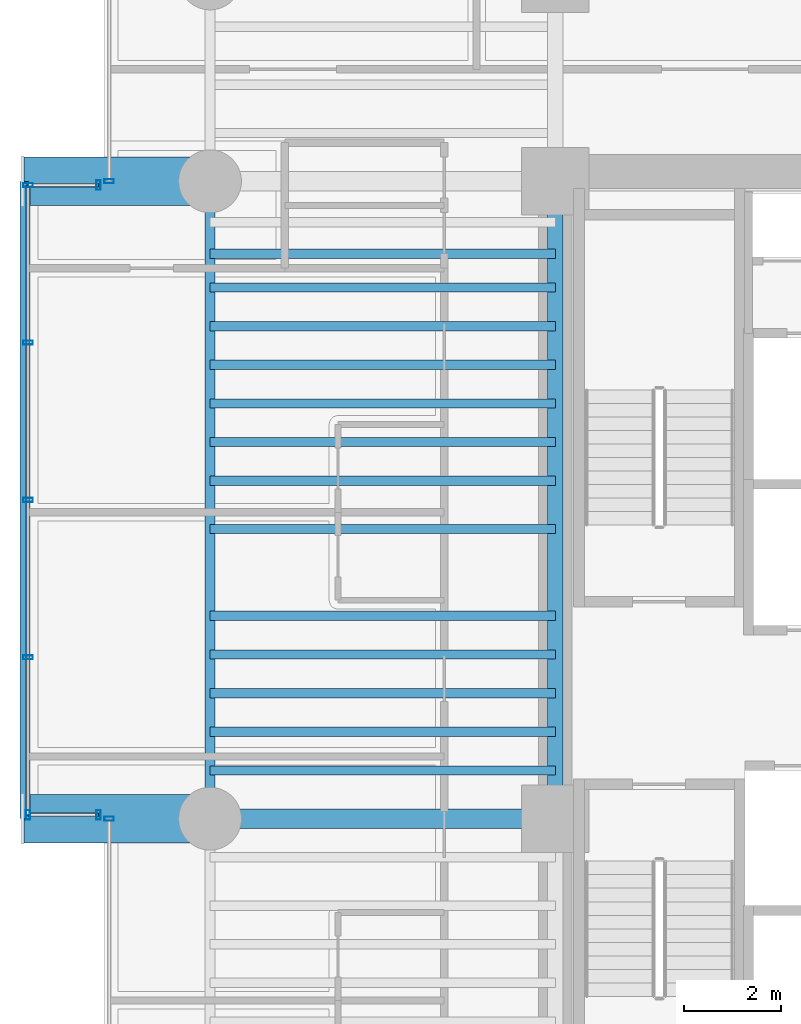
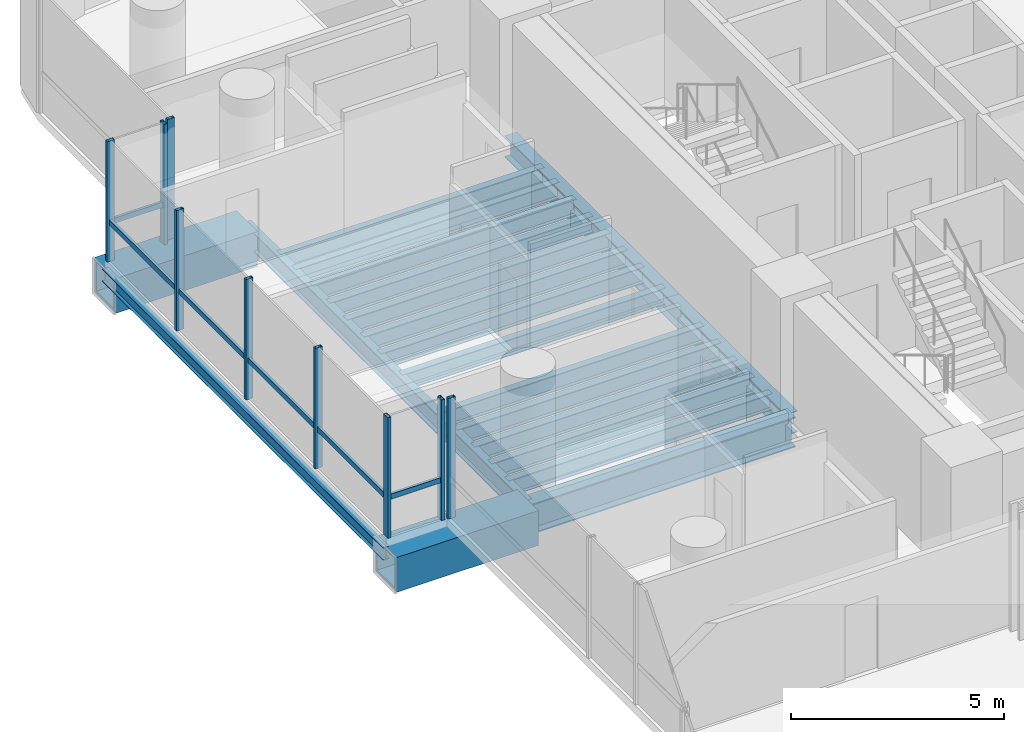
# One storey, part 8 of 39: 19 beams, 12 members, 5 elements without a shape of their own.
"""IFC4 building model written with IfcOpenShell, lengths in metres."""

from ifc_helpers import new_model, si_unit, direction, frame, origin, origin_2d, place, context, subcontext, project, spatial, hollow_rectangle, i_section, extrude, source, transform, mapped, material, material_profile, profile_set, type_object, element, aggregate, save


model = new_model("IFC4")

# Units and contexts
model_context = context("Model", 3, precision=1e-05, world=origin(), true_north=direction((0.0, 1.0)))
body_context = subcontext(model_context, "Body", "Model", "MODEL_VIEW")
ifc_project = project(units=[si_unit("LENGTHUNIT", "METRE"), si_unit("AREAUNIT", "SQUARE_METRE"), si_unit("VOLUMEUNIT", "CUBIC_METRE"), si_unit("PLANEANGLEUNIT", "RADIAN"), si_unit("MASSUNIT", "GRAM", prefix="KILO")], contexts=[model_context])

# Site, building, storey
site_placement = place(None, origin())
site = spatial("IfcSite", under=ifc_project, at=site_placement, CompositionType="ELEMENT")
building_placement = place(site_placement, origin())
building = spatial("IfcBuilding", under=site, at=building_placement, Name="Valdorenza Pilgrim Sanctuary Tower", CompositionType="ELEMENT")
storey_placement = place(building_placement, frame((0.0, 0.0, 77.800048828125)))
storey = spatial("IfcBuildingStorey", under=building, at=storey_placement, Name="L19", CompositionType="ELEMENT", Elevation=77.800048828125)

# Beams
ifc_material_1 = material(Name="Steel ASTM A992 Grade 50", Category="steel")
ifc_material_profile_1 = material_profile(ifc_material_1, i_section(OverallWidth=0.214111328125, OverallDepth=0.549072265625, WebThickness=0.0146484375, FlangeThickness=0.023681640625, at=origin_2d()), Name="W21X93")
ifc_profile_set_1 = profile_set([ifc_material_profile_1], Name="Steel ASTM A992 Grade 50")
beam_type_1 = type_object("IfcBeamType", Name="STR-BM-SPN-W21A", PredefinedType="SPANDREL", material=ifc_profile_set_1)
shared_shape_1 = source(origin(), body_context, "Body", "SweptSolid", [
    extrude(i_section(OverallWidth=0.214111328125, OverallDepth=0.549072265625, WebThickness=0.0146484375, FlangeThickness=0.023681640625, at=origin_2d()), origin(), (0.0, 0.0, 1.0), 13.2001953125),
])
beam_1_placement = place(storey_placement, frame((-29.800048828125, -2.60009765625, -0.5146484375), z_axis=(0.0, 1.0, 0.0), x_axis=(-1.0, 0.0, 0.0)))
element("IfcBeam", 1, at=beam_1_placement, inside=storey, type_object=beam_type_1, Name="L19 Spandrel Beam WA-W-M0N1", PredefinedType="SPANDREL", context=body_context, shape_type="MappedRepresentation", body=[
    mapped(shared_shape_1, transform((0.0, 0.0, 0.0), x_axis=(1.0, 0.0, 0.0), y_axis=(0.0, 1.0, 0.0), z_axis=(0.0, 0.0, 1.0), scale=1.0)),
])
ifc_material_profile_2 = material_profile(ifc_material_1, i_section(OverallWidth=0.323974609375, OverallDepth=0.611083984375, WebThickness=0.0126953125, FlangeThickness=0.01904296875, at=origin_2d()), Name="W24X104")
ifc_profile_set_2 = profile_set([ifc_material_profile_2], Name="Steel ASTM A992 Grade 50")
beam_type_2 = type_object("IfcBeamType", Name="STR-BM-GRD-W24B", PredefinedType="BEAM", material=ifc_profile_set_2)
shared_shape_2 = source(origin(), body_context, "Body", "SweptSolid", [
    extrude(i_section(OverallWidth=0.323974609375, OverallDepth=0.611083984375, WebThickness=0.0126953125, FlangeThickness=0.01904296875, at=origin_2d()), origin(), (0.0, 0.0, 1.0), 13.2001953125),
])
beam_2_placement = place(storey_placement, frame((-22.64990234375, -2.60009765625, -0.545654296875), z_axis=(0.0, 1.0, 0.0), x_axis=(-1.0, 0.0, 0.0)))
element("IfcBeam", 2, at=beam_2_placement, inside=storey, type_object=beam_type_2, Name="L19 Core Tie Girder CA-W-M0N1", PredefinedType="BEAM", context=body_context, shape_type="MappedRepresentation", body=[
    mapped(shared_shape_2, transform((0.0, 0.0, 0.0), x_axis=(1.0, 0.0, 0.0), y_axis=(0.0, 1.0, 0.0), z_axis=(0.0, 0.0, 1.0), scale=1.0)),
])
ifc_material_profile_3 = material_profile(ifc_material_1, i_section(OverallWidth=0.193115234375, OverallDepth=0.466064453125, WebThickness=0.011474609375, FlangeThickness=0.01904296875, at=origin_2d()), Name="W18X65")
ifc_profile_set_3 = profile_set([ifc_material_profile_3], Name="Steel ASTM A992 Grade 50")
beam_type_3 = type_object("IfcBeamType", Name="STR-BM-JST-W18A", PredefinedType="JOIST", material=ifc_profile_set_3)
shared_shape_3 = source(origin(), body_context, "Body", "SweptSolid", [
    extrude(i_section(OverallWidth=0.193115234375, OverallDepth=0.466064453125, WebThickness=0.011474609375, FlangeThickness=0.01904296875, at=origin_2d()), origin(), (0.0, 0.0, 1.0), 7.150146484375),
])
for number, where, z_axis, x_axis, name in (
    (3, (-29.800048828125, -1.60009765625, -0.47314453125), (1.0, 0.0, 0.0), (0.0, 1.0, 0.0), "L19 Composite Floor Joist JST-WA-10"),
    (4, (-29.800048828125, -0.800048828125, -0.47314453125), (1.0, 0.0, 0.0), (0.0, 1.0, 0.0), "L19 Composite Floor Joist JST-WA-11"),
    (5, (-29.800048828125, 0.0, -0.47314453125), (1.0, 0.0, 0.0), (0.0, 1.0, 0.0), "L19 Composite Floor Joist JST-WA-12"),
    (6, (-29.800048828125, 0.800048828125, -0.47314453125), (1.0, 0.0, 0.0), (0.0, 1.0, 0.0), "L19 Composite Floor Joist JST-WA-13"),
    (7, (-29.800048828125, 1.60009765625, -0.47314453125), (1.0, 0.0, 0.0), (0.0, 1.0, 0.0), "L19 Composite Floor Joist JST-WA-14"),
    (8, (-29.800048828125, 3.39990234375, -0.47314453125), (1.0, 0.0, 0.0), (0.0, 1.0, 0.0), "L19 Composite Floor Joist JST-WA-15"),
    (9, (-29.800048828125, 4.39990234375, -0.47314453125), (1.0, 0.0, 0.0), (0.0, 1.0, 0.0), "L19 Composite Floor Joist JST-WA-16"),
    (10, (-29.800048828125, 5.199951171875, -0.47314453125), (1.0, 0.0, 0.0), (0.0, 1.0, 0.0), "L19 Composite Floor Joist JST-WA-17"),
    (11, (-29.800048828125, 6.0, -0.47314453125), (1.0, 0.0, 0.0), (0.0, 1.0, 0.0), "L19 Composite Floor Joist JST-WA-18"),
    (12, (-29.800048828125, 6.800048828125, -0.47314453125), (1.0, 0.0, 0.0), (0.0, 1.0, 0.0), "L19 Composite Floor Joist JST-WA-19"),
    (13, (-29.800048828125, 7.60009765625, -0.47314453125), (1.0, 0.0, 0.0), (0.0, 1.0, 0.0), "L19 Composite Floor Joist JST-WA-20"),
    (14, (-29.800048828125, 8.39990234375, -0.47314453125), (1.0, 0.0, 0.0), (0.0, 1.0, 0.0), "L19 Composite Floor Joist JST-WA-21"),
    (15, (-29.800048828125, 9.10009765625, -0.47314453125), (1.0, 0.0, 0.0), (0.0, 1.0, 0.0), "L19 Composite Floor Joist JST-WA-22"),
):
    element("IfcBeam", number, at=place(storey_placement, frame(where, z_axis=z_axis, x_axis=x_axis)), inside=storey, type_object=beam_type_3, Name=name, PredefinedType="JOIST", context=body_context, shape_type="MappedRepresentation", body=[
        mapped(shared_shape_3, transform((0.0, 0.0, 0.0), x_axis=(1.0, 0.0, 0.0), y_axis=(0.0, 1.0, 0.0), z_axis=(0.0, 0.0, 1.0), scale=1.0)),
    ])
ifc_material_2 = material(Name="Steel ASTM A572 Grade 42", Category="steel")
ifc_material_profile_4 = material_profile(ifc_material_2, hollow_rectangle(XDim=1.0, YDim=1.0, WallThickness=0.080078125, at=origin_2d()), Name="BOX 1000x1000x80")
ifc_profile_set_4 = profile_set([ifc_material_profile_4], Name="Steel ASTM A572 Grade 42")
beam_type_4 = type_object("IfcBeamType", Name="STR-BM-PROW-CANT", PredefinedType="BEAM", material=ifc_profile_set_4)
shared_shape_4 = source(origin(), body_context, "Body", "SweptSolid", [
    extrude(hollow_rectangle(XDim=1.0, YDim=1.0, WallThickness=0.080078125, at=origin_2d()), origin(), (0.0, 0.0, 1.0), 3.849853515625),
])
for number, where, z_axis, x_axis, name in (
    (16, (-29.800048828125, 10.60009765625, -0.739990234375), (-1.0, 0.0, 0.0), (0.0, -1.0, 0.0), "L19 Glass Box Cantilever Beam BOX-WA-L19-CT-N"),
    (17, (-29.800048828125, -2.60009765625, -0.739990234375), (-1.0, 0.0, 0.0), (0.0, -1.0, 0.0), "L19 Glass Box Cantilever Beam BOX-WA-L19-CT-S"),
):
    element("IfcBeam", number, at=place(storey_placement, frame(where, z_axis=z_axis, x_axis=x_axis)), inside=storey, type_object=beam_type_4, Name=name, PredefinedType="BEAM", context=body_context, shape_type="MappedRepresentation", body=[
        mapped(shared_shape_4, transform((0.0, 0.0, 0.0), x_axis=(1.0, 0.0, 0.0), y_axis=(0.0, 1.0, 0.0), z_axis=(0.0, 0.0, 1.0), scale=1.0)),
    ])
ifc_material_profile_5 = material_profile(ifc_material_1, i_section(OverallWidth=0.39990234375, OverallDepth=0.862060546875, WebThickness=0.019775390625, FlangeThickness=0.032470703125, at=origin_2d()), Name="W33X221")
ifc_profile_set_5 = profile_set([ifc_material_profile_5], Name="Steel ASTM A992 Grade 50")
beam_type_5 = type_object("IfcBeamType", Name="STR-BM-GRD-W33", PredefinedType="BEAM", material=ifc_profile_set_5)
shared_shape_5 = source(origin(), body_context, "Body", "SweptSolid", [
    extrude(i_section(OverallWidth=0.39990234375, OverallDepth=0.862060546875, WebThickness=0.019775390625, FlangeThickness=0.032470703125, at=origin_2d()), origin(), (0.0, 0.0, 1.0), 7.150146484375),
])
beam_3_placement = place(storey_placement, frame((-29.800048828125, -2.60009765625, -0.671142578125), z_axis=(1.0, 0.0, 0.0), x_axis=(0.0, 1.0, 0.0)))
element("IfcBeam", 18, at=beam_3_placement, inside=storey, type_object=beam_type_5, Name="L19 Floor Girder WA-XW-M0", PredefinedType="BEAM", context=body_context, shape_type="MappedRepresentation", body=[
    mapped(shared_shape_5, transform((0.0, 0.0, 0.0), x_axis=(1.0, 0.0, 0.0), y_axis=(0.0, 1.0, 0.0), z_axis=(0.0, 0.0, 1.0), scale=1.0)),
])
ifc_material_profile_6 = material_profile(ifc_material_1, i_section(OverallWidth=0.1708984375, OverallDepth=0.35107421875, WebThickness=0.0068359375, FlangeThickness=0.009765625, at=origin_2d()), Name="W14X30")
ifc_profile_set_6 = profile_set([ifc_material_profile_6], Name="Steel ASTM A992 Grade 50")
beam_type_6 = type_object("IfcBeamType", Name="STR-BM-BOX-W14", PredefinedType="BEAM", material=ifc_profile_set_6)
shared_shape_6 = source(origin(), body_context, "Body", "SweptSolid", [
    extrude(i_section(OverallWidth=0.1708984375, OverallDepth=0.35107421875, WebThickness=0.0068359375, FlangeThickness=0.009765625, at=origin_2d()), origin(), (0.0, 0.0, 1.0), 13.2001953125),
])
beam_4_placement = place(storey_placement, frame((-33.64990234375, -2.60009765625, -0.41552734375), z_axis=(0.0, 1.0, 0.0), x_axis=(-1.0, 0.0, 0.0)))
element("IfcBeam", 19, at=beam_4_placement, inside=storey, type_object=beam_type_6, Name="L19 Glass Box Edge Beam BOX-WA-L19-F", PredefinedType="BEAM", context=body_context, shape_type="MappedRepresentation", body=[
    mapped(shared_shape_6, transform((0.0, 0.0, 0.0), x_axis=(1.0, 0.0, 0.0), y_axis=(0.0, 1.0, 0.0), z_axis=(0.0, 0.0, 1.0), scale=1.0)),
])

# Curtain wall, member
ifc_material_3 = material(Name="Curtain-wall IGU glazing", Category="glass")
curtain_wall_type = type_object("IfcCurtainWallType", Name="CW-SYS-02", PredefinedType="NOTDEFINED", material=ifc_material_3)
curtain_wall_1_placement = place(storey_placement, origin())
curtain_wall_1 = element("IfcCurtainWall", 20, at=curtain_wall_1_placement, inside=storey, type_object=curtain_wall_type, Name="L19 Curtain Wall CW-L19-1-1S1", PredefinedType="NOTDEFINED")
ifc_material_4 = material(Name="Anodised aluminium AW-6060", Category="aluminium")
ifc_material_profile_7 = material_profile(ifc_material_4, hollow_rectangle(XDim=0.0849609375, YDim=0.199951171875, WallThickness=0.0048828125, at=origin_2d()), Name="ALU-M 200x85x5")
ifc_profile_set_7 = profile_set([ifc_material_profile_7], Name="Anodised aluminium AW-6060")
member_type_1 = type_object("IfcMemberType", Name="CW-MUL-02", PredefinedType="MULLION", material=ifc_profile_set_7)
shared_shape_7 = source(origin(), body_context, "Body", "SweptSolid", [
    extrude(hollow_rectangle(XDim=0.0849609375, YDim=0.199951171875, WallThickness=0.0048828125, at=origin_2d()), origin(), (0.0, 0.0, 1.0), 3.4599609375),
])
member_1_placement = place(storey_placement, frame((-31.889892578125, -2.60009765625, 0.0), z_axis=(0.0, 0.0, 1.0), x_axis=(0.0, 1.0, 0.0)))
member_1 = element("IfcMember", 21, at=member_1_placement, type_object=member_type_1, Name="CW-L19-1-1S1 Mullion 3", PredefinedType="MULLION", context=body_context, shape_type="MappedRepresentation", body=[
    mapped(shared_shape_7, transform((0.0, 0.0, 0.0), x_axis=(1.0, 0.0, 0.0), y_axis=(0.0, 1.0, 0.0), z_axis=(0.0, 0.0, 1.0), scale=1.0)),
])
aggregate(curtain_wall_1, [member_1])

curtain_wall_2_placement = place(storey_placement, origin())
curtain_wall_2 = element("IfcCurtainWall", 22, at=curtain_wall_2_placement, inside=storey, type_object=curtain_wall_type, Name="L19 Curtain Wall CW-L19-1-1S2", PredefinedType="NOTDEFINED")
member_2_placement = place(storey_placement, frame((-31.889892578125, 10.60009765625, 0.0), z_axis=(0.0, 0.0, 1.0), x_axis=(0.0, 1.0, 0.0)))
member_2 = element("IfcMember", 23, at=member_2_placement, type_object=member_type_1, Name="CW-L19-1-1S2 Mullion 1", PredefinedType="MULLION", context=body_context, shape_type="MappedRepresentation", body=[
    mapped(shared_shape_7, transform((0.0, 0.0, 0.0), x_axis=(1.0, 0.0, 0.0), y_axis=(0.0, 1.0, 0.0), z_axis=(0.0, 0.0, 1.0), scale=1.0)),
])
aggregate(curtain_wall_2, [member_2])

# Curtain wall, members
curtain_wall_3_placement = place(storey_placement, origin())
curtain_wall_3 = element("IfcCurtainWall", 24, at=curtain_wall_3_placement, inside=storey, type_object=curtain_wall_type, Name="L19 Curtain Wall CW-L19-BOX-WA-L19-S", PredefinedType="NOTDEFINED")
member_3_placement = place(storey_placement, frame((-32.110107421875, -2.52001953125, 0.0), z_axis=(0.0, 0.0, 1.0), x_axis=(-1.0, 0.0, 0.0)))
member_3 = element("IfcMember", 25, at=member_3_placement, type_object=member_type_1, Name="CW-L19-BOX-WA-L19-S Mullion 1", PredefinedType="MULLION", context=body_context, shape_type="MappedRepresentation", body=[
    mapped(shared_shape_7, transform((0.0, 0.0, 0.0), x_axis=(1.0, 0.0, 0.0), y_axis=(0.0, 1.0, 0.0), z_axis=(0.0, 0.0, 1.0), scale=1.0)),
])
member_4_placement = place(storey_placement, frame((-33.570068359375, -2.52001953125, 0.0), z_axis=(0.0, 0.0, 1.0), x_axis=(-1.0, 0.0, 0.0)))
member_4 = element("IfcMember", 26, at=member_4_placement, type_object=member_type_1, Name="CW-L19-BOX-WA-L19-S Mullion 2", PredefinedType="MULLION", context=body_context, shape_type="MappedRepresentation", body=[
    mapped(shared_shape_7, transform((0.0, 0.0, 0.0), x_axis=(1.0, 0.0, 0.0), y_axis=(0.0, 1.0, 0.0), z_axis=(0.0, 0.0, 1.0), scale=1.0)),
])

curtain_wall_4_placement = place(storey_placement, origin())
curtain_wall_4 = element("IfcCurtainWall", 27, at=curtain_wall_4_placement, inside=storey, type_object=curtain_wall_type, Name="L19 Curtain Wall CW-L19-BOX-WA-L19-F", PredefinedType="NOTDEFINED")
member_5_placement = place(storey_placement, frame((-33.570068359375, 0.739990234375, 0.0), z_axis=(0.0, 0.0, 1.0), x_axis=(0.0, 1.0, 0.0)))
member_5 = element("IfcMember", 28, at=member_5_placement, type_object=member_type_1, Name="CW-L19-BOX-WA-L19-F Mullion 2", PredefinedType="MULLION", context=body_context, shape_type="MappedRepresentation", body=[
    mapped(shared_shape_7, transform((0.0, 0.0, 0.0), x_axis=(1.0, 0.0, 0.0), y_axis=(0.0, 1.0, 0.0), z_axis=(0.0, 0.0, 1.0), scale=1.0)),
])
member_6_placement = place(storey_placement, frame((-33.570068359375, 4.0, 0.0), z_axis=(0.0, 0.0, 1.0), x_axis=(0.0, 1.0, 0.0)))
member_6 = element("IfcMember", 29, at=member_6_placement, type_object=member_type_1, Name="CW-L19-BOX-WA-L19-F Mullion 3", PredefinedType="MULLION", context=body_context, shape_type="MappedRepresentation", body=[
    mapped(shared_shape_7, transform((0.0, 0.0, 0.0), x_axis=(1.0, 0.0, 0.0), y_axis=(0.0, 1.0, 0.0), z_axis=(0.0, 0.0, 1.0), scale=1.0)),
])
member_7_placement = place(storey_placement, frame((-33.570068359375, 7.260009765625, 0.0), z_axis=(0.0, 0.0, 1.0), x_axis=(0.0, 1.0, 0.0)))
member_7 = element("IfcMember", 30, at=member_7_placement, type_object=member_type_1, Name="CW-L19-BOX-WA-L19-F Mullion 4", PredefinedType="MULLION", context=body_context, shape_type="MappedRepresentation", body=[
    mapped(shared_shape_7, transform((0.0, 0.0, 0.0), x_axis=(1.0, 0.0, 0.0), y_axis=(0.0, 1.0, 0.0), z_axis=(0.0, 0.0, 1.0), scale=1.0)),
])
member_8_placement = place(storey_placement, frame((-33.570068359375, 10.52001953125, 0.0), z_axis=(0.0, 0.0, 1.0), x_axis=(0.0, 1.0, 0.0)))
member_8 = element("IfcMember", 31, at=member_8_placement, type_object=member_type_1, Name="CW-L19-BOX-WA-L19-F Mullion 5", PredefinedType="MULLION", context=body_context, shape_type="MappedRepresentation", body=[
    mapped(shared_shape_7, transform((0.0, 0.0, 0.0), x_axis=(1.0, 0.0, 0.0), y_axis=(0.0, 1.0, 0.0), z_axis=(0.0, 0.0, 1.0), scale=1.0)),
])

# Curtain wall, member
curtain_wall_5_placement = place(storey_placement, origin())
curtain_wall_5 = element("IfcCurtainWall", 32, at=curtain_wall_5_placement, inside=storey, type_object=curtain_wall_type, Name="L19 Curtain Wall CW-L19-BOX-WA-L19-N", PredefinedType="NOTDEFINED")
member_9_placement = place(storey_placement, frame((-32.110107421875, 10.52001953125, 0.0), z_axis=(0.0, 0.0, 1.0), x_axis=(1.0, 0.0, 0.0)))
member_9 = element("IfcMember", 33, at=member_9_placement, type_object=member_type_1, Name="CW-L19-BOX-WA-L19-N Mullion 2", PredefinedType="MULLION", context=body_context, shape_type="MappedRepresentation", body=[
    mapped(shared_shape_7, transform((0.0, 0.0, 0.0), x_axis=(1.0, 0.0, 0.0), y_axis=(0.0, 1.0, 0.0), z_axis=(0.0, 0.0, 1.0), scale=1.0)),
])

# Member
ifc_material_profile_8 = material_profile(ifc_material_4, hollow_rectangle(XDim=0.074951171875, YDim=0.14990234375, WallThickness=0.00390625, at=origin_2d()), Name="ALU-T 150x75x4")
ifc_profile_set_8 = profile_set([ifc_material_profile_8], Name="Anodised aluminium AW-6060")
member_type_2 = type_object("IfcMemberType", Name="CW-TRN-02", PredefinedType="USERDEFINED", material=ifc_profile_set_8)
shared_shape_8 = source(origin(), body_context, "Body", "SweptSolid", [
    extrude(hollow_rectangle(XDim=0.074951171875, YDim=0.14990234375, WallThickness=0.00390625, at=origin_2d()), origin(), (0.0, 0.0, 1.0), 1.4599609375),
])
member_10_placement = place(storey_placement, frame((-32.110107421875, -2.52001953125, 1.119873046875), z_axis=(-1.0, 0.0, 0.0), x_axis=(0.0, -1.0, 0.0)))
member_10 = element("IfcMember", 34, at=member_10_placement, type_object=member_type_2, Name="CW-L19-BOX-WA-L19-S Transom 1", ObjectType="TRANSOM", PredefinedType="USERDEFINED", context=body_context, shape_type="MappedRepresentation", body=[
    mapped(shared_shape_8, transform((0.0, 0.0, 0.0), x_axis=(1.0, 0.0, 0.0), y_axis=(0.0, 1.0, 0.0), z_axis=(0.0, 0.0, 1.0), scale=1.0)),
])

aggregate(curtain_wall_3, [member_3, member_4, member_10])

member_11_placement = place(storey_placement, frame((-33.570068359375, 10.52001953125, 1.119873046875), z_axis=(1.0, 0.0, 0.0), x_axis=(0.0, 1.0, 0.0)))
member_11 = element("IfcMember", 35, at=member_11_placement, type_object=member_type_2, Name="CW-L19-BOX-WA-L19-N Transom 1", ObjectType="TRANSOM", PredefinedType="USERDEFINED", context=body_context, shape_type="MappedRepresentation", body=[
    mapped(shared_shape_8, transform((0.0, 0.0, 0.0), x_axis=(1.0, 0.0, 0.0), y_axis=(0.0, 1.0, 0.0), z_axis=(0.0, 0.0, 1.0), scale=1.0)),
])

aggregate(curtain_wall_5, [member_9, member_11])

shared_shape_9 = source(origin(), body_context, "Body", "SweptSolid", [
    extrude(hollow_rectangle(XDim=0.074951171875, YDim=0.14990234375, WallThickness=0.00390625, at=origin_2d()), origin(), (0.0, 0.0, 1.0), 13.0400390625),
])
member_12_placement = place(storey_placement, frame((-33.570068359375, -2.52001953125, 1.119873046875), z_axis=(0.0, 1.0, 0.0), x_axis=(-1.0, 0.0, 0.0)))
member_12 = element("IfcMember", 36, at=member_12_placement, type_object=member_type_2, Name="CW-L19-BOX-WA-L19-F Transom 1", ObjectType="TRANSOM", PredefinedType="USERDEFINED", context=body_context, shape_type="MappedRepresentation", body=[
    mapped(shared_shape_9, transform((0.0, 0.0, 0.0), x_axis=(1.0, 0.0, 0.0), y_axis=(0.0, 1.0, 0.0), z_axis=(0.0, 0.0, 1.0), scale=1.0)),
])

aggregate(curtain_wall_4, [member_5, member_6, member_7, member_8, member_12])

save(model, "model.ifc")
